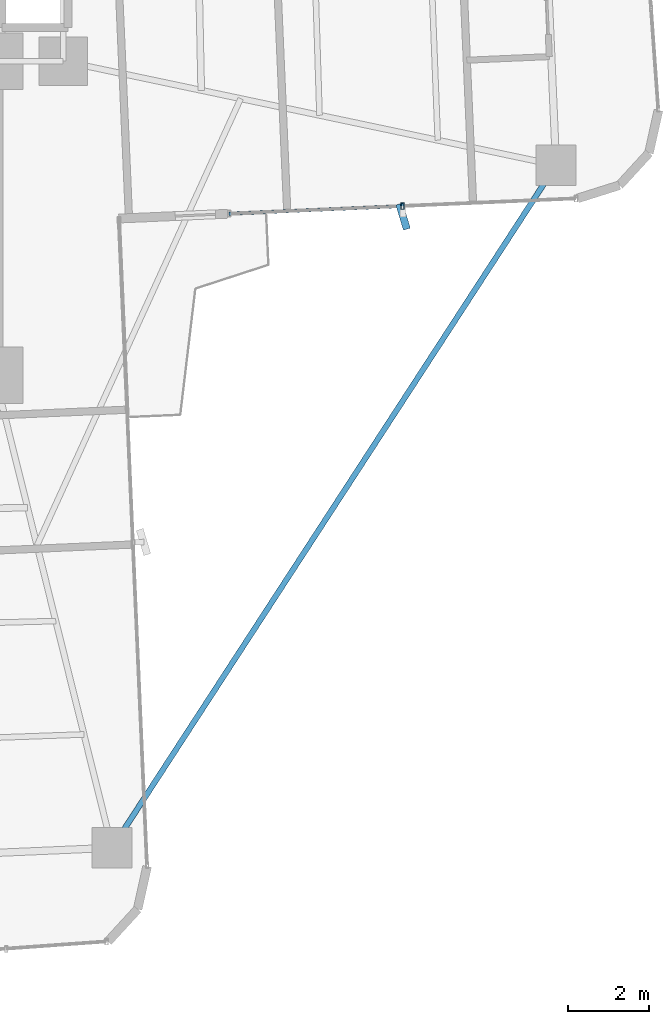
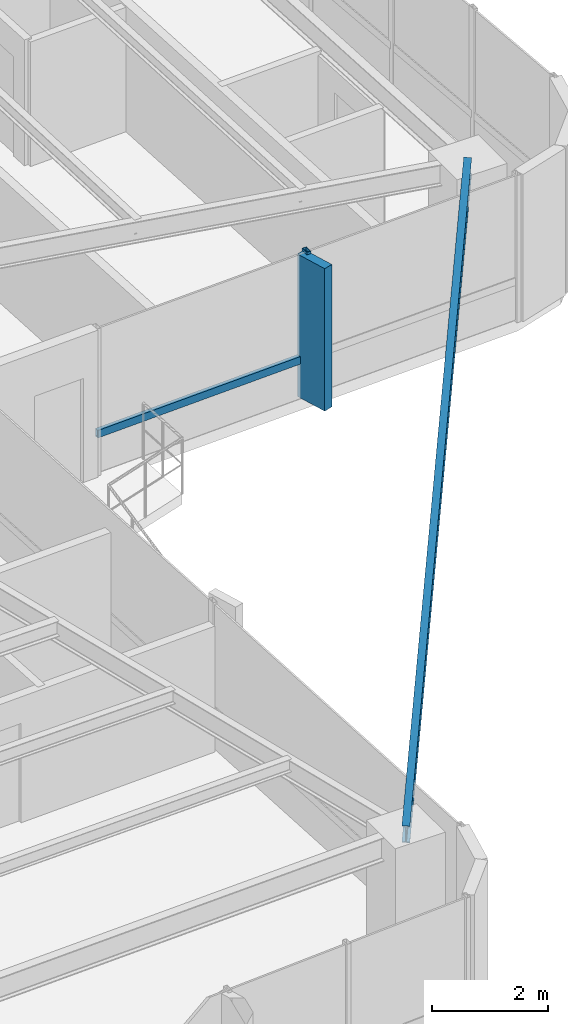
# One storey, part 14 of 26: 3 members, 1 beam, 1 element without a shape of its own.
"""IFC4 building model written with IfcOpenShell, lengths in metres."""

from ifc_helpers import new_model, si_unit, direction, frame, origin, origin_2d, place, context, subcontext, project, spatial, rectangle, hollow_rectangle, i_section, extrude, source, transform, mapped, material, material_profile, profile_set, type_object, element, aggregate, save


model = new_model("IFC4")

# Units and contexts
model_context = context("Model", 3, precision=1e-05, world=origin(), true_north=direction((0.0, 1.0)))
body_context = subcontext(model_context, "Body", "Model", "MODEL_VIEW")
ifc_project = project(units=[si_unit("LENGTHUNIT", "METRE"), si_unit("AREAUNIT", "SQUARE_METRE"), si_unit("VOLUMEUNIT", "CUBIC_METRE"), si_unit("PLANEANGLEUNIT", "RADIAN"), si_unit("MASSUNIT", "GRAM", prefix="KILO")], contexts=[model_context])

# Site, building, storey
site_placement = place(None, origin())
site = spatial("IfcSite", under=ifc_project, at=site_placement, CompositionType="ELEMENT")
building_placement = place(site_placement, origin())
building = spatial("IfcBuilding", under=site, at=building_placement, Name="Sahyath Konkavel Grand Hotel", CompositionType="ELEMENT")
storey_placement = place(building_placement, frame((0.0, 0.0, 118.14990234375)))
storey = spatial("IfcBuildingStorey", under=building, at=storey_placement, Name="L32", CompositionType="ELEMENT", Elevation=118.14990234375)

# Beam
ifc_material_1 = material(Name="Steel E350", Category="steel")
ifc_material_profile_1 = material_profile(ifc_material_1, i_section(OverallWidth=0.139892578125, OverallDepth=0.35009765625, WebThickness=0.008056640625, FlangeThickness=0.01416015625, FilletRadius=0.013916015625, at=origin_2d()), Name="ISMB 350")
ifc_profile_set_1 = profile_set([ifc_material_profile_1], Name="Steel E350")
beam_type = type_object("IfcBeamType", Name="BM-ISMB350", PredefinedType="BEAM", material=ifc_profile_set_1)
shared_shape_1 = source(origin(), body_context, "Body", "SweptSolid", [
    extrude(i_section(OverallWidth=0.139892578125, OverallDepth=0.35009765625, WebThickness=0.008056640625, FlangeThickness=0.01416015625, FilletRadius=0.013916015625, at=origin_2d()), origin(), (0.0, 0.0, 1.0), 20.21533203125),
])
beam_placement = place(storey_placement, frame((17.734130859375, -4.981201171875, 2.93505859375), z_axis=(-0.545191244931, -0.838311700056, 0.0), x_axis=(0.838311700056, -0.545191244931, 0.0)))
element("IfcBeam", 1, at=beam_placement, inside=storey, type_object=beam_type, Name="L32 Re-Entrant Tie Beam SE", PredefinedType="BEAM", context=body_context, shape_type="MappedRepresentation", body=[
    mapped(shared_shape_1, transform((0.0, 0.0, 0.0), scale=1.0)),
])

# Curtain wall, members
ifc_material_2 = material(Name="Anodised Bronze Aluminium & Low-E Glazing", Category="aluminium")
curtain_wall_type = type_object("IfcCurtainWallType", Name="CW-ZONE2", PredefinedType="NOTDEFINED", material=ifc_material_2)
curtain_wall_placement = place(storey_placement, origin())
curtain_wall = element("IfcCurtainWall", 2, at=curtain_wall_placement, inside=storey, type_object=curtain_wall_type, Name="L32 Unitised Curtain Wall F0", PredefinedType="NOTDEFINED")
ifc_material_3 = material(Name="Warm Buff Sandstone Cladding on Concrete C50/60", Category="masonry")
ifc_material_profile_2 = material_profile(ifc_material_3, rectangle(XDim=0.179931640625, YDim=0.64990234375, at=origin_2d()), Name="FIN 180x650")
ifc_profile_set_2 = profile_set([ifc_material_profile_2], Name="Warm Buff Sandstone Cladding on Concrete C50/60")
member_type_1 = type_object("IfcMemberType", Name="FIN-SANDSTONE-650", PredefinedType="MULLION", material=ifc_profile_set_2)
shared_shape_2 = source(origin(), body_context, "Body", "SweptSolid", [
    extrude(rectangle(XDim=0.179931640625, YDim=0.64990234375, at=origin_2d()), origin(), (0.0, 0.0, 1.0), 3.010009765625),
])
member_1_placement = place(storey_placement, frame((13.936279296875, -6.258056640625, 0.050048828125), z_axis=(0.0, 0.0, 1.0), x_axis=(0.957117481996, 0.289700061544, 0.0)))
member_1 = element("IfcMember", 3, at=member_1_placement, type_object=member_type_1, Name="L32 Sandstone Vertical Solar Fin FIN F0-1", PredefinedType="MULLION", context=body_context, shape_type="MappedRepresentation", body=[
    mapped(shared_shape_2, transform((0.0, 0.0, 0.0), scale=1.0)),
])
ifc_material_4 = material(Name="Anodised Bronze Aluminium", Category="aluminium")
ifc_material_profile_3 = material_profile(ifc_material_4, hollow_rectangle(XDim=0.080078125, YDim=0.159912109375, WallThickness=0.006103515625, at=origin_2d()), Name="RHS 160x80x6")
ifc_profile_set_3 = profile_set([ifc_material_profile_3], Name="Anodised Bronze Aluminium")
member_type_2 = type_object("IfcMemberType", Name="CW-MUL-160", PredefinedType="MULLION", material=ifc_profile_set_3)
shared_shape_3 = source(origin(), body_context, "Body", "SweptSolid", [
    extrude(hollow_rectangle(XDim=0.080078125, YDim=0.159912109375, WallThickness=0.006103515625, at=origin_2d()), origin(), (0.0, 0.0, 1.0), 3.110107421875),
])
member_2_placement = place(storey_placement, frame((13.9248046875, -5.998291015625, 0.0), z_axis=(0.0, 0.0, 1.0), x_axis=(1.0, 0.0, 0.0)))
member_2 = element("IfcMember", 4, at=member_2_placement, type_object=member_type_2, Name="L32 Curtain Wall Mullion F0-1", PredefinedType="MULLION", context=body_context, shape_type="MappedRepresentation", body=[
    mapped(shared_shape_3, transform((0.0, 0.0, 0.0), scale=1.0)),
])
ifc_material_profile_4 = material_profile(ifc_material_4, hollow_rectangle(XDim=0.080078125, YDim=0.159912109375, WallThickness=0.006103515625, at=origin_2d()), Name="RHS 160x80x6")
ifc_profile_set_4 = profile_set([ifc_material_profile_4], Name="Anodised Bronze Aluminium")
member_type_3 = type_object("IfcMemberType", Name="CW-TRN-160", PredefinedType="USERDEFINED", material=ifc_profile_set_4)
shared_shape_4 = source(origin(), body_context, "Body", "SweptSolid", [
    extrude(hollow_rectangle(XDim=0.080078125, YDim=0.159912109375, WallThickness=0.006103515625, at=origin_2d()), origin(), (0.0, 0.0, 1.0), 4.31005859375),
])
member_3_placement = place(storey_placement, frame((9.618896484375, -6.186279296875, 0.85009765625), z_axis=(0.999048340188, 0.043616670746, 0.0), x_axis=(-0.043616670746, 0.999048340188, 0.0)))
member_3 = element("IfcMember", 5, at=member_3_placement, type_object=member_type_3, Name="L32 Curtain Wall Transom F0-0-spandrel", ObjectType="TRANSOM", PredefinedType="USERDEFINED", context=body_context, shape_type="MappedRepresentation", body=[
    mapped(shared_shape_4, transform((0.0, 0.0, 0.0), scale=1.0)),
])
aggregate(curtain_wall, [member_2, member_1, member_3])

save(model, "model.ifc")
